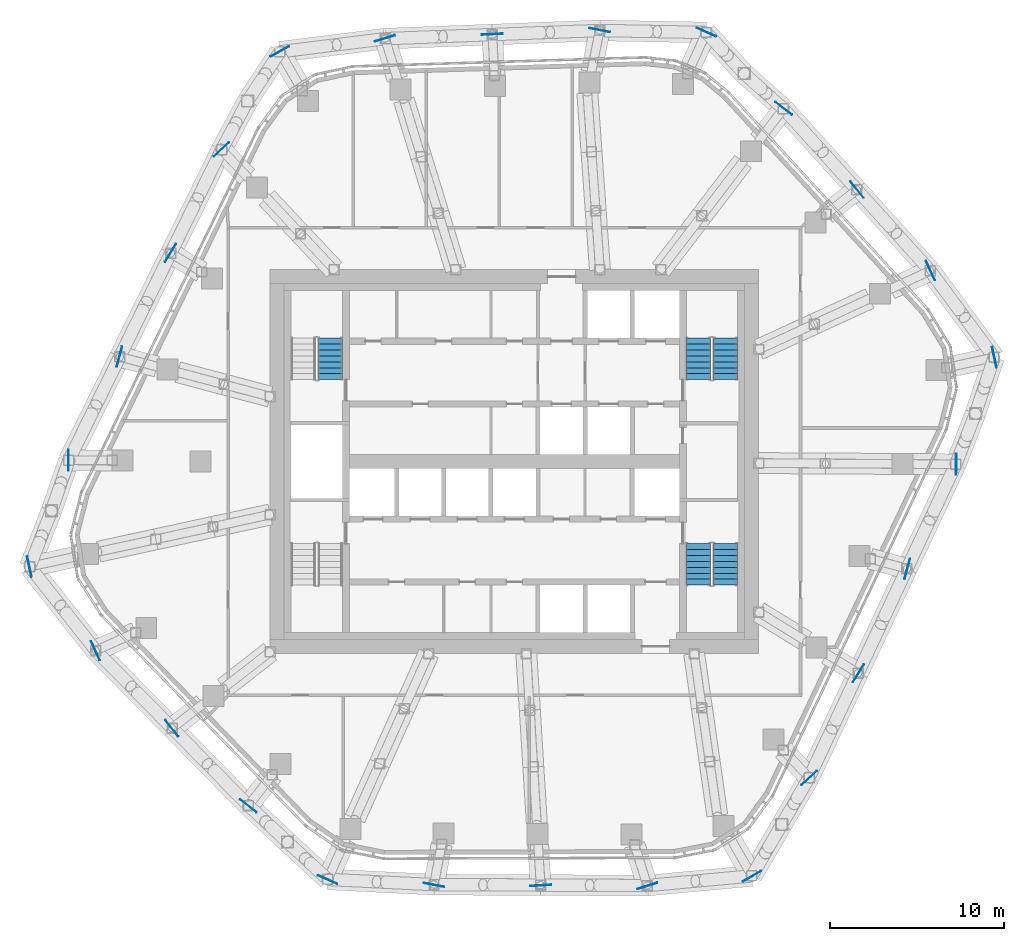
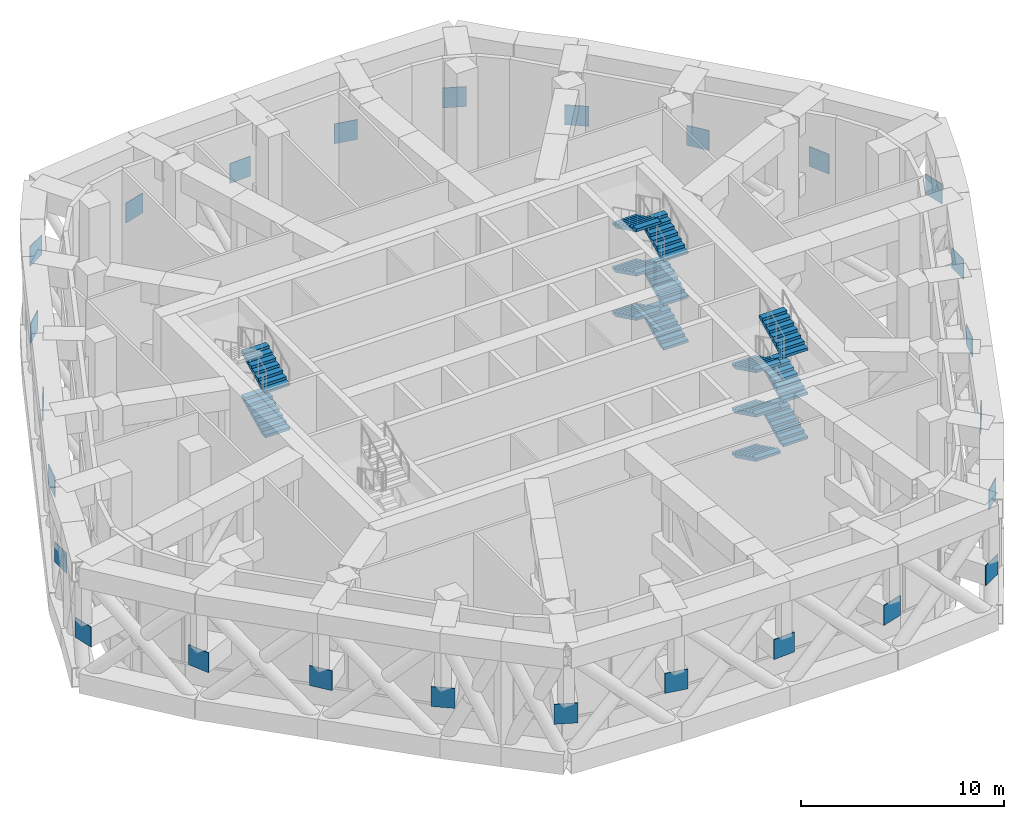
# One storey, part 14 of 21: 26 discrete accessories, 14 stair flights, 3 elements without a shape of their own.
"""IFC4 building model written with IfcOpenShell, lengths in metres."""

from ifc_helpers import new_model, si_unit, direction, frame, origin, origin_2d, place, context, subcontext, project, spatial, polyline, rectangle, outline, extrude, material, layer, layer_set, type_object, element, aggregate, save


model = new_model("IFC4")

# Units and contexts
model_context = context("Model", 3, precision=1e-05, world=origin(), true_north=direction((0.0, 1.0)))
body_context = subcontext(model_context, "Body", "Model", "MODEL_VIEW")
ifc_project = project(units=[si_unit("LENGTHUNIT", "METRE"), si_unit("AREAUNIT", "SQUARE_METRE"), si_unit("VOLUMEUNIT", "CUBIC_METRE"), si_unit("PLANEANGLEUNIT", "RADIAN"), si_unit("MASSUNIT", "GRAM", prefix="KILO")], contexts=[model_context])

# Site, building, storey
site_placement = place(None, origin())
site = spatial("IfcSite", under=ifc_project, at=site_placement, CompositionType="ELEMENT")
building_placement = place(site_placement, origin())
building = spatial("IfcBuilding", under=site, at=building_placement, Name="Dongbaek Canopy Tower", CompositionType="ELEMENT")
storey_placement = place(building_placement, frame((0.0, 0.0, 220.60009765625)))
storey = spatial("IfcBuildingStorey", under=building, at=storey_placement, Name="L46", CompositionType="ELEMENT", Elevation=220.60009765625)

# Stair, stair flights
ifc_material_1 = material(Name="Concrete C40/50", Category="concrete")
stair_type = type_object("IfcStairType", Name="Core exit stair", PredefinedType="HALF_TURN_STAIR", material=ifc_material_1)
stair_1_placement = place(storey_placement, origin())
stair_1 = element("IfcStair", 1, at=stair_1_placement, inside=storey, type_object=stair_type, Name="L46 exit stair A", PredefinedType="HALF_TURN_STAIR")
ifc_material_2 = material(Name="Concrete C40/50", Category="concrete")
ifc_layer = layer(ifc_material_2, 0.14990234375)
ifc_layer_set = layer_set([ifc_layer], Name="Core stair flight 150 waist")
stair_flight_type = type_object("IfcStairFlightType", Name="Core stair flight 150 waist", PredefinedType="STRAIGHT", material=ifc_layer_set)
stair_flight_1_placement = place(storey_placement, frame((12.10009765625, 4.699951171875, 0.0), z_axis=(0.0, 0.0, 1.0), x_axis=(0.0, 1.0, 0.0)))
stair_flight_1 = element("IfcStairFlight", 2, at=stair_flight_1_placement, type_object=stair_flight_type, Name="ST-A flight 1", NumberOfRisers=8, NumberOfTreads=7, PredefinedType="STRAIGHT", RiserHeight=0.166666667, TreadLength=0.34, context=body_context, shape_type="SweptSolid", body=[
    extrude(outline(polyline([(0.0, 0.0), (0.0, 0.166748046875), (0.340087890625, 0.166748046875), (0.340087890625, 0.333251953125), (0.679931640625, 0.333251953125), (0.679931640625, 0.5), (1.02001953125, 0.5), (1.02001953125, 0.666748046875), (1.360107421875, 0.666748046875), (1.360107421875, 0.833251953125), (1.699951171875, 0.833251953125), (1.699951171875, 1.0), (2.0400390625, 1.0), (2.0400390625, 1.166748046875), (2.3798828125, 1.166748046875), (2.3798828125, 1.333251953125), (2.3798828125, 0.999755859375), (0.340576171875, 0.0), (0.0, 0.0)])), frame((0.0, 0.699951171875, 0.0), z_axis=(0.0, -1.0, 0.0), x_axis=(1.0, 0.0, 0.0)), (0.0, 0.0, 1.0), 1.39990234375),
])
stair_flight_2_placement = place(storey_placement, frame((10.550048828125, 7.080078125, 1.333251953125), z_axis=(0.0, 0.0, 1.0), x_axis=(0.0, -1.0, 0.0)))
stair_flight_2 = element("IfcStairFlight", 3, at=stair_flight_2_placement, type_object=stair_flight_type, Name="ST-A flight 2", NumberOfRisers=8, NumberOfTreads=7, PredefinedType="STRAIGHT", RiserHeight=0.166666667, TreadLength=0.34, context=body_context, shape_type="SweptSolid", body=[
    extrude(outline(polyline([(0.0, 0.0), (0.0, 0.166748046875), (0.340087890625, 0.166748046875), (0.340087890625, 0.333251953125), (0.679931640625, 0.333251953125), (0.679931640625, 0.5), (1.02001953125, 0.5), (1.02001953125, 0.666748046875), (1.360107421875, 0.666748046875), (1.360107421875, 0.833251953125), (1.699951171875, 0.833251953125), (1.699951171875, 1.0), (2.0400390625, 1.0), (2.0400390625, 1.166748046875), (2.3798828125, 1.166748046875), (2.3798828125, 1.333251953125), (2.3798828125, 0.999755859375), (0.340576171875, 0.0), (0.0, 0.0)])), frame((0.0, 0.699951171875, 0.0), z_axis=(0.0, -1.0, 0.0), x_axis=(1.0, 0.0, 0.0)), (0.0, 0.0, 1.0), 1.39990234375),
])
stair_flight_3_placement = place(storey_placement, frame((12.10009765625, 4.699951171875, 2.66650390625), z_axis=(0.0, 0.0, 1.0), x_axis=(0.0, 1.0, 0.0)))
stair_flight_3 = element("IfcStairFlight", 4, at=stair_flight_3_placement, type_object=stair_flight_type, Name="ST-A flight 3", NumberOfRisers=8, NumberOfTreads=7, PredefinedType="STRAIGHT", RiserHeight=0.166666667, TreadLength=0.34, context=body_context, shape_type="SweptSolid", body=[
    extrude(outline(polyline([(0.0, 0.0), (0.0, 0.166748046875), (0.340087890625, 0.166748046875), (0.340087890625, 0.333251953125), (0.679931640625, 0.333251953125), (0.679931640625, 0.5), (1.02001953125, 0.5), (1.02001953125, 0.666748046875), (1.360107421875, 0.666748046875), (1.360107421875, 0.833251953125), (1.699951171875, 0.833251953125), (1.699951171875, 1.0), (2.0400390625, 1.0), (2.0400390625, 1.166748046875), (2.3798828125, 1.166748046875), (2.3798828125, 1.333251953125), (2.3798828125, 0.999755859375), (0.340576171875, 0.0), (0.0, 0.0)])), frame((0.0, 0.699951171875, 0.0), z_axis=(0.0, -1.0, 0.0), x_axis=(1.0, 0.0, 0.0)), (0.0, 0.0, 1.0), 1.39990234375),
])
stair_flight_4_placement = place(storey_placement, frame((10.550048828125, 7.080078125, 4.0), z_axis=(0.0, 0.0, 1.0), x_axis=(0.0, -1.0, 0.0)))
stair_flight_4 = element("IfcStairFlight", 5, at=stair_flight_4_placement, type_object=stair_flight_type, Name="ST-A flight 4", NumberOfRisers=8, NumberOfTreads=7, PredefinedType="STRAIGHT", RiserHeight=0.166666667, TreadLength=0.34, context=body_context, shape_type="SweptSolid", body=[
    extrude(outline(polyline([(0.0, 0.0), (0.0, 0.166748046875), (0.340087890625, 0.166748046875), (0.340087890625, 0.333251953125), (0.679931640625, 0.333251953125), (0.679931640625, 0.5), (1.02001953125, 0.5), (1.02001953125, 0.666748046875), (1.360107421875, 0.666748046875), (1.360107421875, 0.833251953125), (1.699951171875, 0.833251953125), (1.699951171875, 1.0), (2.0400390625, 1.0), (2.0400390625, 1.166748046875), (2.3798828125, 1.166748046875), (2.3798828125, 1.333251953125), (2.3798828125, 0.999755859375), (0.340576171875, 0.0), (0.0, 0.0)])), frame((0.0, 0.699951171875, 0.0), z_axis=(0.0, -1.0, 0.0), x_axis=(1.0, 0.0, 0.0)), (0.0, 0.0, 1.0), 1.39990234375),
])
stair_flight_5_placement = place(storey_placement, frame((12.10009765625, 4.699951171875, 5.333251953125), z_axis=(0.0, 0.0, 1.0), x_axis=(0.0, 1.0, 0.0)))
stair_flight_5 = element("IfcStairFlight", 6, at=stair_flight_5_placement, type_object=stair_flight_type, Name="ST-A flight 5", NumberOfRisers=8, NumberOfTreads=7, PredefinedType="STRAIGHT", RiserHeight=0.166666667, TreadLength=0.34, context=body_context, shape_type="SweptSolid", body=[
    extrude(outline(polyline([(0.0, 0.0), (0.0, 0.166748046875), (0.340087890625, 0.166748046875), (0.340087890625, 0.333251953125), (0.679931640625, 0.333251953125), (0.679931640625, 0.5), (1.02001953125, 0.5), (1.02001953125, 0.666748046875), (1.360107421875, 0.666748046875), (1.360107421875, 0.833251953125), (1.699951171875, 0.833251953125), (1.699951171875, 1.0), (2.0400390625, 1.0), (2.0400390625, 1.166748046875), (2.3798828125, 1.166748046875), (2.3798828125, 1.333251953125), (2.3798828125, 0.999755859375), (0.340576171875, 0.0), (0.0, 0.0)])), frame((0.0, 0.699951171875, 0.0), z_axis=(0.0, -1.0, 0.0), x_axis=(1.0, 0.0, 0.0)), (0.0, 0.0, 1.0), 1.39990234375),
])
stair_flight_6_placement = place(storey_placement, frame((10.550048828125, 7.080078125, 6.66650390625), z_axis=(0.0, 0.0, 1.0), x_axis=(0.0, -1.0, 0.0)))
stair_flight_6 = element("IfcStairFlight", 7, at=stair_flight_6_placement, type_object=stair_flight_type, Name="ST-A flight 6", NumberOfRisers=8, NumberOfTreads=7, PredefinedType="STRAIGHT", RiserHeight=0.166666667, TreadLength=0.34, context=body_context, shape_type="SweptSolid", body=[
    extrude(outline(polyline([(0.0, 0.0), (0.0, 0.166748046875), (0.340087890625, 0.166748046875), (0.340087890625, 0.333251953125), (0.679931640625, 0.333251953125), (0.679931640625, 0.5), (1.02001953125, 0.5), (1.02001953125, 0.666748046875), (1.360107421875, 0.666748046875), (1.360107421875, 0.833251953125), (1.699951171875, 0.833251953125), (1.699951171875, 1.0), (2.0400390625, 1.0), (2.0400390625, 1.166748046875), (2.3798828125, 1.166748046875), (2.3798828125, 1.333251953125), (2.3798828125, 0.999755859375), (0.340576171875, 0.0), (0.0, 0.0)])), frame((0.0, 0.699951171875, 0.0), z_axis=(0.0, -1.0, 0.0), x_axis=(1.0, 0.0, 0.0)), (0.0, 0.0, 1.0), 1.39990234375),
])
aggregate(stair_1, [stair_flight_1, stair_flight_2, stair_flight_3, stair_flight_4, stair_flight_5, stair_flight_6])

stair_2_placement = place(storey_placement, origin())
stair_2 = element("IfcStair", 8, at=stair_2_placement, inside=storey, type_object=stair_type, Name="L46 exit stair C", PredefinedType="HALF_TURN_STAIR")
stair_flight_7_placement = place(storey_placement, frame((-10.550048828125, 4.699951171875, 2.66650390625), z_axis=(0.0, 0.0, 1.0), x_axis=(0.0, 1.0, 0.0)))
stair_flight_7 = element("IfcStairFlight", 9, at=stair_flight_7_placement, type_object=stair_flight_type, Name="ST-C flight 3", NumberOfRisers=8, NumberOfTreads=7, PredefinedType="STRAIGHT", RiserHeight=0.166666667, TreadLength=0.34, context=body_context, shape_type="SweptSolid", body=[
    extrude(outline(polyline([(0.0, 0.0), (0.0, 0.166748046875), (0.340087890625, 0.166748046875), (0.340087890625, 0.333251953125), (0.679931640625, 0.333251953125), (0.679931640625, 0.5), (1.02001953125, 0.5), (1.02001953125, 0.666748046875), (1.360107421875, 0.666748046875), (1.360107421875, 0.833251953125), (1.699951171875, 0.833251953125), (1.699951171875, 1.0), (2.0400390625, 1.0), (2.0400390625, 1.166748046875), (2.3798828125, 1.166748046875), (2.3798828125, 1.333251953125), (2.3798828125, 0.999755859375), (0.340576171875, 0.0), (0.0, 0.0)])), frame((0.0, 0.699951171875, 0.0), z_axis=(0.0, -1.0, 0.0), x_axis=(1.0, 0.0, 0.0)), (0.0, 0.0, 1.0), 1.39990234375),
])
stair_flight_8_placement = place(storey_placement, frame((-10.550048828125, 4.699951171875, 5.333251953125), z_axis=(0.0, 0.0, 1.0), x_axis=(0.0, 1.0, 0.0)))
stair_flight_8 = element("IfcStairFlight", 10, at=stair_flight_8_placement, type_object=stair_flight_type, Name="ST-C flight 5", NumberOfRisers=8, NumberOfTreads=7, PredefinedType="STRAIGHT", RiserHeight=0.166666667, TreadLength=0.34, context=body_context, shape_type="SweptSolid", body=[
    extrude(outline(polyline([(0.0, 0.0), (0.0, 0.166748046875), (0.340087890625, 0.166748046875), (0.340087890625, 0.333251953125), (0.679931640625, 0.333251953125), (0.679931640625, 0.5), (1.02001953125, 0.5), (1.02001953125, 0.666748046875), (1.360107421875, 0.666748046875), (1.360107421875, 0.833251953125), (1.699951171875, 0.833251953125), (1.699951171875, 1.0), (2.0400390625, 1.0), (2.0400390625, 1.166748046875), (2.3798828125, 1.166748046875), (2.3798828125, 1.333251953125), (2.3798828125, 0.999755859375), (0.340576171875, 0.0), (0.0, 0.0)])), frame((0.0, 0.699951171875, 0.0), z_axis=(0.0, -1.0, 0.0), x_axis=(1.0, 0.0, 0.0)), (0.0, 0.0, 1.0), 1.39990234375),
])
aggregate(stair_2, [stair_flight_7, stair_flight_8])

stair_3_placement = place(storey_placement, origin())
stair_3 = element("IfcStair", 11, at=stair_3_placement, inside=storey, type_object=stair_type, Name="L46 exit stair B", PredefinedType="HALF_TURN_STAIR")
stair_flight_9_placement = place(storey_placement, frame((10.550048828125, -4.699951171875, 0.0), z_axis=(0.0, 0.0, 1.0), x_axis=(0.0, -1.0, 0.0)))
stair_flight_9 = element("IfcStairFlight", 12, at=stair_flight_9_placement, type_object=stair_flight_type, Name="ST-B flight 1", NumberOfRisers=8, NumberOfTreads=7, PredefinedType="STRAIGHT", RiserHeight=0.166666667, TreadLength=0.34, context=body_context, shape_type="SweptSolid", body=[
    extrude(outline(polyline([(0.0, 0.0), (0.0, 0.166748046875), (0.340087890625, 0.166748046875), (0.340087890625, 0.333251953125), (0.679931640625, 0.333251953125), (0.679931640625, 0.5), (1.02001953125, 0.5), (1.02001953125, 0.666748046875), (1.360107421875, 0.666748046875), (1.360107421875, 0.833251953125), (1.699951171875, 0.833251953125), (1.699951171875, 1.0), (2.0400390625, 1.0), (2.0400390625, 1.166748046875), (2.3798828125, 1.166748046875), (2.3798828125, 1.333251953125), (2.3798828125, 0.999755859375), (0.340576171875, 0.0), (0.0, 0.0)])), frame((0.0, 0.699951171875, 0.0), z_axis=(0.0, -1.0, 0.0), x_axis=(1.0, 0.0, 0.0)), (0.0, 0.0, 1.0), 1.39990234375),
])
stair_flight_10_placement = place(storey_placement, frame((12.10009765625, -7.080078125, 1.333251953125), z_axis=(0.0, 0.0, 1.0), x_axis=(0.0, 1.0, 0.0)))
stair_flight_10 = element("IfcStairFlight", 13, at=stair_flight_10_placement, type_object=stair_flight_type, Name="ST-B flight 2", NumberOfRisers=8, NumberOfTreads=7, PredefinedType="STRAIGHT", RiserHeight=0.166666667, TreadLength=0.34, context=body_context, shape_type="SweptSolid", body=[
    extrude(outline(polyline([(0.0, 0.0), (0.0, 0.166748046875), (0.340087890625, 0.166748046875), (0.340087890625, 0.333251953125), (0.679931640625, 0.333251953125), (0.679931640625, 0.5), (1.02001953125, 0.5), (1.02001953125, 0.666748046875), (1.360107421875, 0.666748046875), (1.360107421875, 0.833251953125), (1.699951171875, 0.833251953125), (1.699951171875, 1.0), (2.0400390625, 1.0), (2.0400390625, 1.166748046875), (2.3798828125, 1.166748046875), (2.3798828125, 1.333251953125), (2.3798828125, 0.999755859375), (0.340576171875, 0.0), (0.0, 0.0)])), frame((0.0, 0.699951171875, 0.0), z_axis=(0.0, -1.0, 0.0), x_axis=(1.0, 0.0, 0.0)), (0.0, 0.0, 1.0), 1.39990234375),
])
stair_flight_11_placement = place(storey_placement, frame((10.550048828125, -4.699951171875, 2.66650390625), z_axis=(0.0, 0.0, 1.0), x_axis=(0.0, -1.0, 0.0)))
stair_flight_11 = element("IfcStairFlight", 14, at=stair_flight_11_placement, type_object=stair_flight_type, Name="ST-B flight 3", NumberOfRisers=8, NumberOfTreads=7, PredefinedType="STRAIGHT", RiserHeight=0.166666667, TreadLength=0.34, context=body_context, shape_type="SweptSolid", body=[
    extrude(outline(polyline([(0.0, 0.0), (0.0, 0.166748046875), (0.340087890625, 0.166748046875), (0.340087890625, 0.333251953125), (0.679931640625, 0.333251953125), (0.679931640625, 0.5), (1.02001953125, 0.5), (1.02001953125, 0.666748046875), (1.360107421875, 0.666748046875), (1.360107421875, 0.833251953125), (1.699951171875, 0.833251953125), (1.699951171875, 1.0), (2.0400390625, 1.0), (2.0400390625, 1.166748046875), (2.3798828125, 1.166748046875), (2.3798828125, 1.333251953125), (2.3798828125, 0.999755859375), (0.340576171875, 0.0), (0.0, 0.0)])), frame((0.0, 0.699951171875, 0.0), z_axis=(0.0, -1.0, 0.0), x_axis=(1.0, 0.0, 0.0)), (0.0, 0.0, 1.0), 1.39990234375),
])
stair_flight_12_placement = place(storey_placement, frame((12.10009765625, -7.080078125, 4.0), z_axis=(0.0, 0.0, 1.0), x_axis=(0.0, 1.0, 0.0)))
stair_flight_12 = element("IfcStairFlight", 15, at=stair_flight_12_placement, type_object=stair_flight_type, Name="ST-B flight 4", NumberOfRisers=8, NumberOfTreads=7, PredefinedType="STRAIGHT", RiserHeight=0.166666667, TreadLength=0.34, context=body_context, shape_type="SweptSolid", body=[
    extrude(outline(polyline([(0.0, 0.0), (0.0, 0.166748046875), (0.340087890625, 0.166748046875), (0.340087890625, 0.333251953125), (0.679931640625, 0.333251953125), (0.679931640625, 0.5), (1.02001953125, 0.5), (1.02001953125, 0.666748046875), (1.360107421875, 0.666748046875), (1.360107421875, 0.833251953125), (1.699951171875, 0.833251953125), (1.699951171875, 1.0), (2.0400390625, 1.0), (2.0400390625, 1.166748046875), (2.3798828125, 1.166748046875), (2.3798828125, 1.333251953125), (2.3798828125, 0.999755859375), (0.340576171875, 0.0), (0.0, 0.0)])), frame((0.0, 0.699951171875, 0.0), z_axis=(0.0, -1.0, 0.0), x_axis=(1.0, 0.0, 0.0)), (0.0, 0.0, 1.0), 1.39990234375),
])
stair_flight_13_placement = place(storey_placement, frame((10.550048828125, -4.699951171875, 5.333251953125), z_axis=(0.0, 0.0, 1.0), x_axis=(0.0, -1.0, 0.0)))
stair_flight_13 = element("IfcStairFlight", 16, at=stair_flight_13_placement, type_object=stair_flight_type, Name="ST-B flight 5", NumberOfRisers=8, NumberOfTreads=7, PredefinedType="STRAIGHT", RiserHeight=0.166666667, TreadLength=0.34, context=body_context, shape_type="SweptSolid", body=[
    extrude(outline(polyline([(0.0, 0.0), (0.0, 0.166748046875), (0.340087890625, 0.166748046875), (0.340087890625, 0.333251953125), (0.679931640625, 0.333251953125), (0.679931640625, 0.5), (1.02001953125, 0.5), (1.02001953125, 0.666748046875), (1.360107421875, 0.666748046875), (1.360107421875, 0.833251953125), (1.699951171875, 0.833251953125), (1.699951171875, 1.0), (2.0400390625, 1.0), (2.0400390625, 1.166748046875), (2.3798828125, 1.166748046875), (2.3798828125, 1.333251953125), (2.3798828125, 0.999755859375), (0.340576171875, 0.0), (0.0, 0.0)])), frame((0.0, 0.699951171875, 0.0), z_axis=(0.0, -1.0, 0.0), x_axis=(1.0, 0.0, 0.0)), (0.0, 0.0, 1.0), 1.39990234375),
])
stair_flight_14_placement = place(storey_placement, frame((12.10009765625, -7.080078125, 6.66650390625), z_axis=(0.0, 0.0, 1.0), x_axis=(0.0, 1.0, 0.0)))
stair_flight_14 = element("IfcStairFlight", 17, at=stair_flight_14_placement, type_object=stair_flight_type, Name="ST-B flight 6", NumberOfRisers=8, NumberOfTreads=7, PredefinedType="STRAIGHT", RiserHeight=0.166666667, TreadLength=0.34, context=body_context, shape_type="SweptSolid", body=[
    extrude(outline(polyline([(0.0, 0.0), (0.0, 0.166748046875), (0.340087890625, 0.166748046875), (0.340087890625, 0.333251953125), (0.679931640625, 0.333251953125), (0.679931640625, 0.5), (1.02001953125, 0.5), (1.02001953125, 0.666748046875), (1.360107421875, 0.666748046875), (1.360107421875, 0.833251953125), (1.699951171875, 0.833251953125), (1.699951171875, 1.0), (2.0400390625, 1.0), (2.0400390625, 1.166748046875), (2.3798828125, 1.166748046875), (2.3798828125, 1.333251953125), (2.3798828125, 0.999755859375), (0.340576171875, 0.0), (0.0, 0.0)])), frame((0.0, 0.699951171875, 0.0), z_axis=(0.0, -1.0, 0.0), x_axis=(1.0, 0.0, 0.0)), (0.0, 0.0, 1.0), 1.39990234375),
])
aggregate(stair_3, [stair_flight_9, stair_flight_10, stair_flight_11, stair_flight_12, stair_flight_13, stair_flight_14])

# Discrete accessories
ifc_material_3 = material(Name="Steel S355 end plate", Category="steel")
discrete_accessory_type = type_object("IfcDiscreteAccessoryType", Name="Chord end plate EP 1200x1200x40", PredefinedType="BRACKET", material=ifc_material_3)
for number, where, z_axis, x_axis, name in (
    (18, (13.6220703125, -23.76318359375, 2.69970703125), (0.0, 0.0, 1.0), (-0.497319235976, 0.8675676213, 0.0), "End plate TR46-01s"),
    (19, (7.62158203125, -24.319091796875, 2.69970703125), (0.0, 0.0, 1.0), (-0.299057446846, 0.954235109125, 0.0), "End plate TR46-02"),
    (20, (1.503173828125, -24.2919921875, 2.69970703125), (0.0, 0.0, 1.0), (-0.061761032129, 0.998090965248, 0.0), "End plate TR46-03s"),
    (21, (-4.614501953125, -24.265625, 2.69970703125), (0.0, 0.0, 1.0), (0.186813812092, 0.982395337739, 0.0), "End plate TR46-04"),
    (22, (-10.704833984375, -23.96435546875, 2.69970703125), (0.0, 0.0, 1.0), (0.407858819839, 0.913045006054, 0.0), "End plate TR46-05s"),
    (23, (-15.259033203125, -19.72998046875, 2.69970703125), (0.0, 0.0, 1.0), (0.611781102634, 0.791027106021, 0.0), "End plate TR46-06"),
    (24, (-19.6376953125, -15.2841796875, 2.69970703125), (0.0, 0.0, 1.0), (0.78915055227, 0.614199809387, 0.0), "End plate TR46-07s"),
    (25, (-24.014892578125, -10.837890625, 2.69970703125), (0.0, 0.0, 1.0), (0.911480111143, 0.411344146659, 0.0), "End plate TR46-08"),
    (26, (-27.8017578125, -6.0234375, 2.69970703125), (0.0, 0.0, 1.0), (0.977325071688, 0.211744431452, 0.0), "End plate TR46-09s"),
    (27, (-25.56005859375, 0.076171875, 2.69970703125), (0.0, 0.0, 1.0), (0.999995551552, -0.002982763269, 0.0), "End plate TR46-10"),
    (28, (-22.640380859375, 6.01611328125, 2.69970703125), (0.0, 0.0, 1.0), (0.966459501737, -0.256819063745, 0.0), "End plate TR46-11s"),
    (29, (-19.719482421875, 11.954833984375, 2.69970703125), (0.0, 0.0, 1.0), (0.855128194093, -0.518416600493, 0.0), "End plate TR46-12"),
    (30, (-16.7978515625, 17.892578125, 2.69970703125), (0.0, 0.0, 1.0), (0.68445295074, -0.729057033588, 0.0), "End plate TR46-13s"),
    (31, (-13.452392578125, 23.50830078125, 2.69970703125), (0.0, 0.0, 1.0), (0.496667993789, -0.86794061084, 0.0), "End plate TR46-14"),
    (32, (-7.4208984375, 24.26220703125, 2.69970703125), (0.0, 0.0, 1.0), (0.292490206211, -0.956268518394, 0.0), "End plate TR46-15s"),
    (33, (-1.2666015625, 24.4990234375, 2.69970703125), (0.0, 0.0, 1.0), (0.051626567601, -0.998666459594, 0.0), "End plate TR46-16"),
    (34, (4.88720703125, 24.7333984375, 2.69970703125), (0.0, 0.0, 1.0), (-0.193850828287, -0.981031017029, 0.0), "End plate TR46-17s"),
    (35, (10.998291015625, 24.6171875, 2.69970703125), (0.0, 0.0, 1.0), (-0.407914593824, -0.913020089673, 0.0), "End plate TR46-18"),
    (36, (15.4296875, 20.2451171875, 2.69970703125), (0.0, 0.0, 1.0), (-0.606161931235, -0.795341255765, 0.0), "End plate TR46-19s"),
    (37, (19.64111328125, 15.595947265625, 2.69970703125), (0.0, 0.0, 1.0), (-0.78313916684, -0.621846480541, 0.0), "End plate TR46-20"),
    (38, (23.84912109375, 10.947265625, 2.69970703125), (0.0, 0.0, 1.0), (-0.908829536576, -0.417167680252, 0.0), "End plate TR46-21s"),
    (39, (27.511474609375, 5.981201171875, 2.69970703125), (0.0, 0.0, 1.0), (-0.977172187971, -0.212448852799, 0.0), "End plate TR46-22"),
    (40, (25.322021484375, -0.152587890625, 2.69970703125), (0.0, 0.0, 1.0), (-0.999981871511, 0.006021349533, 0.0), "End plate TR46-23s"),
    (41, (22.518310546875, -6.14404296875, 2.69970703125), (0.0, 0.0, 1.0), (-0.964735888876, 0.263219803044, 0.0), "End plate TR46-24"),
    (42, (19.7119140625, -12.1376953125, 2.69970703125), (0.0, 0.0, 1.0), (-0.851520184578, 0.524321824128, 0.0), "End plate TR46-25s"),
    (43, (16.9033203125, -18.12890625, 2.69970703125), (0.0, 0.0, 1.0), (-0.681953682935, 0.731395361164, 0.0), "End plate TR46-26"),
):
    element("IfcDiscreteAccessory", number, at=place(storey_placement, frame(where, z_axis=z_axis, x_axis=x_axis)), inside=storey, type_object=discrete_accessory_type, Name=name, PredefinedType="BRACKET", context=body_context, shape_type="SweptSolid", body=[
        extrude(rectangle(XDim=0.0400390625, YDim=1.199951171875, at=origin_2d()), origin(), (0.0, 0.0, 1.0), 1.199951171875),
    ])

save(model, "model.ifc")
